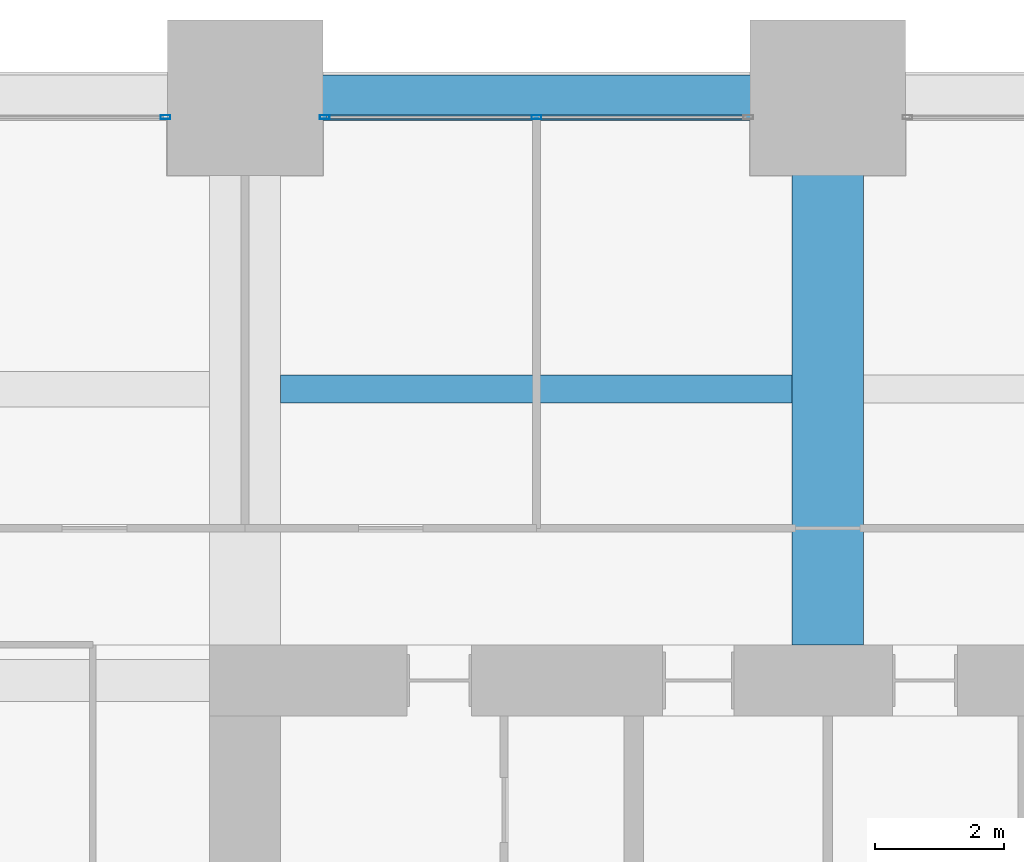
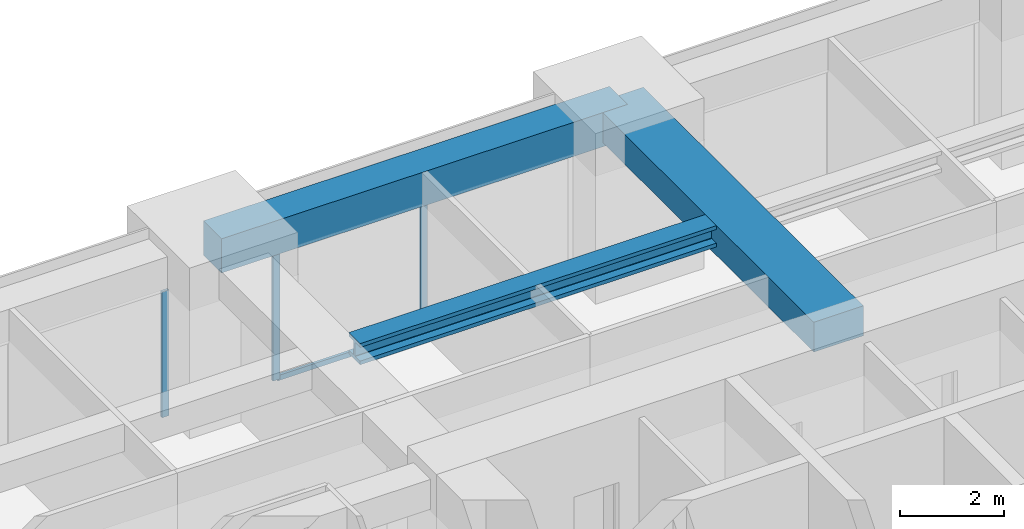
# One storey, part 28 of 41: 4 members, 3 beams, 2 elements without a shape of their own.
"""IFC4 building model written with IfcOpenShell, lengths in metres."""

from ifc_helpers import new_model, si_unit, direction, frame, origin, origin_2d, place, context, subcontext, project, spatial, rectangle, hollow_rectangle, i_section, extrude, material, material_profile, profile_set, type_object, element, aggregate, save


model = new_model("IFC4")

# Units and contexts
model_context = context("Model", 3, precision=1e-05, world=origin(), true_north=direction((0.0, 1.0)))
body_context = subcontext(model_context, "Body", "Model", "MODEL_VIEW")
ifc_project = project(units=[si_unit("LENGTHUNIT", "METRE"), si_unit("AREAUNIT", "SQUARE_METRE"), si_unit("VOLUMEUNIT", "CUBIC_METRE"), si_unit("PLANEANGLEUNIT", "RADIAN"), si_unit("MASSUNIT", "GRAM", prefix="KILO")], contexts=[model_context])

# Site, building, storey
site_placement = place(None, origin())
site = spatial("IfcSite", under=ifc_project, at=site_placement, CompositionType="ELEMENT")
building_placement = place(site_placement, origin())
building = spatial("IfcBuilding", under=site, at=building_placement, Name="Zorevar Civic Tower", CompositionType="ELEMENT")
storey_placement = place(building_placement, frame((0.0, 0.0, 113.0)))
storey = spatial("IfcBuildingStorey", under=building, at=storey_placement, Name="L27", CompositionType="ELEMENT", Elevation=113.0)

# Beam
ifc_material_1 = material(Name="Concrete C50/60", Category="concrete")
ifc_material_profile_1 = material_profile(ifc_material_1, rectangle(XDim=1.10009765625, YDim=0.699951171875, at=origin_2d()), Name="RC 1100x700")
ifc_profile_set_1 = profile_set([ifc_material_profile_1], Name="Concrete C50/60")
beam_type_1 = type_object("IfcBeamType", Name="Beam RC 1100x700", PredefinedType="BEAM", material=ifc_profile_set_1)
beam_1_placement = place(storey_placement, frame((27.0, 36.550048828125, 3.39990234375), z_axis=(0.0, 1.0, 0.0), x_axis=(-1.0, 0.0, 0.0)))
element("IfcBeam", 1, at=beam_1_placement, inside=storey, type_object=beam_type_1, Name="Girder L28", PredefinedType="BEAM", context=body_context, shape_type="SweptSolid", body=[
    extrude(rectangle(XDim=1.10009765625, YDim=0.699951171875, at=origin_2d()), origin(), (0.0, 0.0, 1.0), 8.449951171875),
])

# Curtain wall, member
ifc_material_2 = material(Name="Dark grey solar-control glass in black aluminium frame", Category="aluminium")
curtain_wall_type = type_object("IfcCurtainWallType", Name="Curtain wall CW3 mid zone", PredefinedType="NOTDEFINED", material=ifc_material_2)
curtain_wall_1_placement = place(storey_placement, origin())
curtain_wall_1 = element("IfcCurtainWall", 2, at=curtain_wall_1_placement, inside=storey, type_object=curtain_wall_type, Name="CW3 L27", PredefinedType="NOTDEFINED")
ifc_material_3 = material(Name="Aluminium, black anodised", Category="aluminium")
ifc_material_profile_2 = material_profile(ifc_material_3, hollow_rectangle(XDim=0.06005859375, YDim=0.14990234375, WallThickness=0.00390625, at=origin_2d()), Name="AL 150x60x4")
ifc_profile_set_2 = profile_set([ifc_material_profile_2], Name="Aluminium, black anodised")
member_type_1 = type_object("IfcMemberType", Name="CW3 mullion AL 150x60x4", PredefinedType="MULLION", material=ifc_profile_set_2)
member_1_placement = place(storey_placement, frame((16.77001953125, 44.699951171875, 0.0), z_axis=(0.0, 0.0, 1.0), x_axis=(0.0, 1.0, 0.0)))
member_1 = element("IfcMember", 3, at=member_1_placement, type_object=member_type_1, Name="CW3 mullion 3", PredefinedType="MULLION", context=body_context, shape_type="SweptSolid", body=[
    extrude(hollow_rectangle(XDim=0.06005859375, YDim=0.14990234375, WallThickness=0.00390625, at=origin_2d()), origin(), (0.0, 0.0, 1.0), 2.949951171875),
])
aggregate(curtain_wall_1, [member_1])

# Curtain wall, members
curtain_wall_2_placement = place(storey_placement, origin())
curtain_wall_2 = element("IfcCurtainWall", 4, at=curtain_wall_2_placement, inside=storey, type_object=curtain_wall_type, Name="CW3 L27", PredefinedType="NOTDEFINED")
member_2_placement = place(storey_placement, frame((19.22998046875, 44.699951171875, 0.0), z_axis=(0.0, 0.0, 1.0), x_axis=(0.0, 1.0, 0.0)))
member_2 = element("IfcMember", 5, at=member_2_placement, type_object=member_type_1, Name="CW3 mullion 1", PredefinedType="MULLION", context=body_context, shape_type="SweptSolid", body=[
    extrude(hollow_rectangle(XDim=0.06005859375, YDim=0.14990234375, WallThickness=0.00390625, at=origin_2d()), origin(), (0.0, 0.0, 1.0), 2.949951171875),
])
member_3_placement = place(storey_placement, frame((22.5, 44.699951171875, 0.06005859375), z_axis=(0.0, 0.0, 1.0), x_axis=(0.0, 1.0, 0.0)))
member_3 = element("IfcMember", 6, at=member_3_placement, type_object=member_type_1, Name="CW3 mullion 2", PredefinedType="MULLION", context=body_context, shape_type="SweptSolid", body=[
    extrude(hollow_rectangle(XDim=0.06005859375, YDim=0.14990234375, WallThickness=0.00390625, at=origin_2d()), origin(), (0.0, 0.0, 1.0), 2.889892578125),
])
ifc_material_4 = material(Name="Aluminium, black anodised", Category="aluminium")
ifc_material_profile_3 = material_profile(ifc_material_4, hollow_rectangle(XDim=0.06005859375, YDim=0.1201171875, WallThickness=0.0029296875, at=origin_2d()), Name="AL 120x60x3")
ifc_profile_set_3 = profile_set([ifc_material_profile_3], Name="Aluminium, black anodised")
member_type_2 = type_object("IfcMemberType", Name="CW3 transom AL 120x60x3", PredefinedType="USERDEFINED", material=ifc_profile_set_3)
member_4_placement = place(storey_placement, frame((19.260009765625, 44.699951171875, 0.030029296875), z_axis=(1.0, 0.0, 0.0), x_axis=(0.0, 1.0, 0.0)))
member_4 = element("IfcMember", 7, at=member_4_placement, type_object=member_type_2, Name="CW3 sill transom", ObjectType="TRANSOM", PredefinedType="USERDEFINED", context=body_context, shape_type="SweptSolid", body=[
    extrude(hollow_rectangle(XDim=0.06005859375, YDim=0.1201171875, WallThickness=0.0029296875, at=origin_2d()), origin(), (0.0, 0.0, 1.0), 6.47998046875),
])
aggregate(curtain_wall_2, [member_2, member_3, member_4])

# Beams
ifc_material_5 = material(Name="Steel S460M (HISTAR 460)", Category="steel")
ifc_material_profile_4 = material_profile(ifc_material_5, i_section(OverallWidth=0.431884765625, OverallDepth=0.498046875, WebThickness=0.0556640625, FlangeThickness=0.0888671875, FilletRadius=0.014892578125, at=origin_2d()), Name="HD 400x744")
ifc_profile_set_4 = profile_set([ifc_material_profile_4], Name="Steel S460M (HISTAR 460)")
beam_type_2 = type_object("IfcBeamType", Name="Core bay beam HD 400x744", PredefinedType="BEAM", material=ifc_profile_set_4)
beam_2_placement = place(storey_placement, frame((18.550048828125, 40.5, 3.5009765625), z_axis=(1.0, 0.0, 0.0), x_axis=(0.0, 1.0, 0.0)))
element("IfcBeam", 8, at=beam_2_placement, inside=storey, type_object=beam_type_2, Name="Secondary beam L28", PredefinedType="BEAM", context=body_context, shape_type="SweptSolid", body=[
    extrude(i_section(OverallWidth=0.431884765625, OverallDepth=0.498046875, WebThickness=0.0556640625, FlangeThickness=0.0888671875, FilletRadius=0.014892578125, at=origin_2d()), origin(), (0.0, 0.0, 1.0), 7.89990234375),
])
ifc_material_6 = material(Name="Concrete C50/60", Category="concrete")
ifc_material_profile_5 = material_profile(ifc_material_6, rectangle(XDim=0.699951171875, YDim=0.800048828125, at=origin_2d()), Name="RC 700x800")
ifc_profile_set_5 = profile_set([ifc_material_profile_5], Name="Concrete C50/60")
beam_type_3 = type_object("IfcBeamType", Name="Edge beam RC 700x800", PredefinedType="SPANDREL", material=ifc_profile_set_5)
beam_3_placement = place(storey_placement, frame((18.0, 45.0, 3.35009765625), z_axis=(1.0, 0.0, 0.0), x_axis=(0.0, 1.0, 0.0)))
element("IfcBeam", 9, at=beam_3_placement, inside=storey, type_object=beam_type_3, Name="Edge beam L28", PredefinedType="SPANDREL", context=body_context, shape_type="SweptSolid", body=[
    extrude(rectangle(XDim=0.699951171875, YDim=0.800048828125, at=origin_2d()), origin(), (0.0, 0.0, 1.0), 9.0),
])

save(model, "model.ifc")
